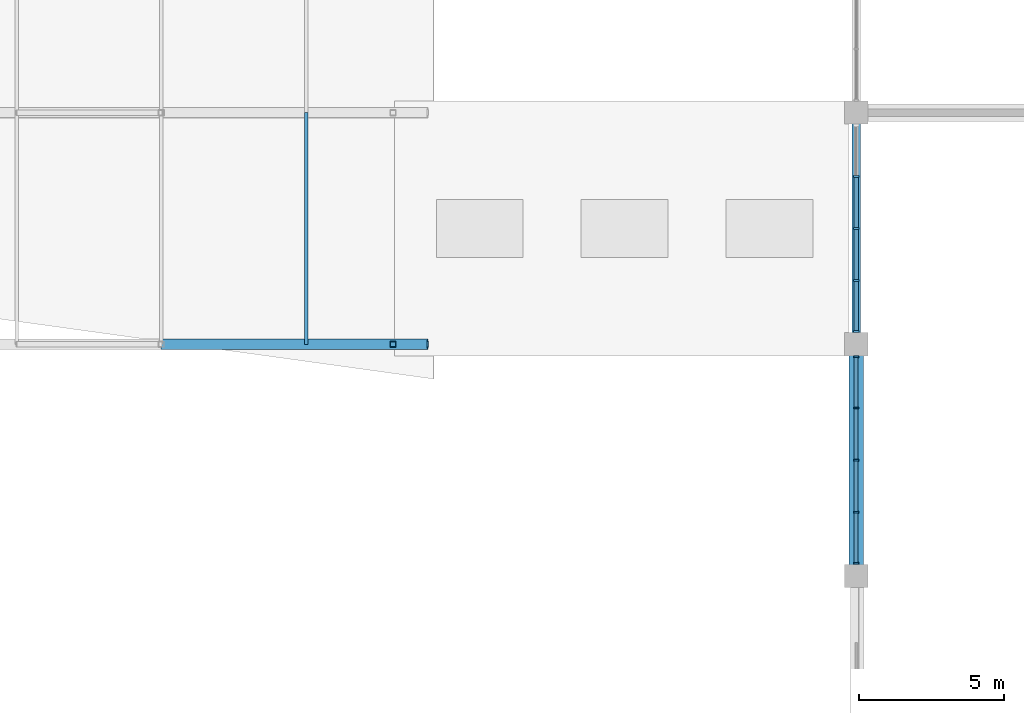
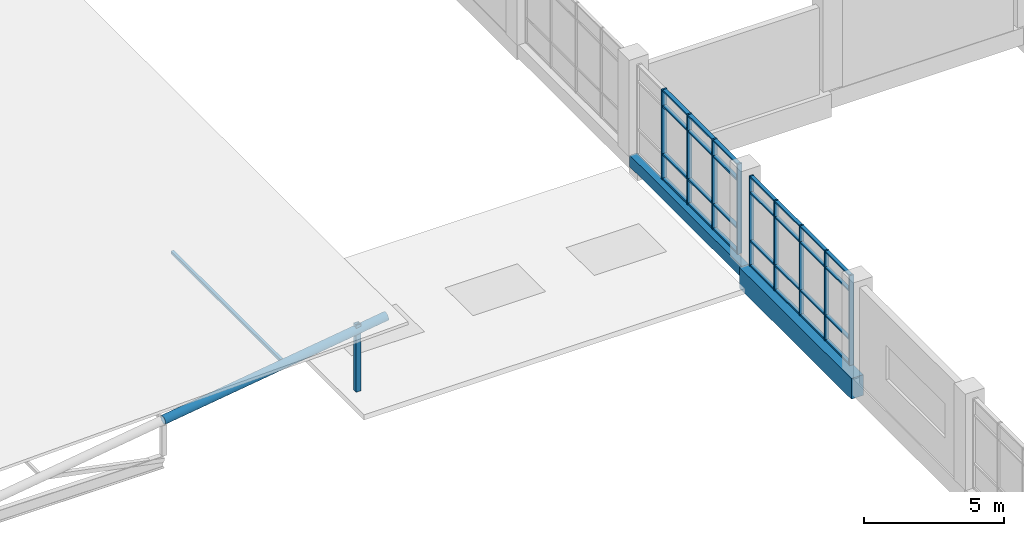
# One storey, part 17 of 84: 39 members, 3 beams, 2 elements without a shape of their own.
"""IFC4 building model written with IfcOpenShell, lengths in metres."""

from ifc_helpers import new_model, si_unit, direction, frame, origin, origin_2d, place, context, subcontext, project, spatial, rectangle, hollow_rectangle, hollow_circle, extrude, material, material_profile, profile_set, type_object, element, aggregate, save


model = new_model("IFC4")

# Units and contexts
model_context = context("Model", 3, precision=1e-05, world=origin(), true_north=direction((0.0, 1.0)))
body_context = subcontext(model_context, "Body", "Model", "MODEL_VIEW")
ifc_project = project(units=[si_unit("LENGTHUNIT", "METRE"), si_unit("AREAUNIT", "SQUARE_METRE"), si_unit("VOLUMEUNIT", "CUBIC_METRE"), si_unit("PLANEANGLEUNIT", "RADIAN"), si_unit("MASSUNIT", "GRAM", prefix="KILO")], contexts=[model_context])

# Site, building, storey
site_placement = place(None, origin())
site = spatial("IfcSite", under=ifc_project, at=site_placement, CompositionType="ELEMENT")
building_placement = place(site_placement, origin())
building = spatial("IfcBuilding", under=site, at=building_placement, Name="Tenunan Teduh Sports Hall", CompositionType="ELEMENT")
storey_placement = place(building_placement, frame((0.0, 0.0, 10.800048828125)))
storey = spatial("IfcBuildingStorey", under=building, at=storey_placement, Name="L02", CompositionType="ELEMENT", Elevation=10.800048828125)

# Beams
ifc_material_1 = material(Name="Concrete C40/50", Category="concrete")
ifc_material_profile_1 = material_profile(ifc_material_1, rectangle(XDim=0.300048828125, YDim=0.5, at=origin_2d()), Name="RCB 300x500")
ifc_profile_set_1 = profile_set([ifc_material_profile_1], Name="Concrete C40/50")
beam_type_1 = type_object("IfcBeamType", Name="BM-RC-300x500", PredefinedType="BEAM", material=ifc_profile_set_1)
beam_1_placement = place(storey_placement, frame((122.0, 38.0, -0.510009765625), z_axis=(0.0, 1.0, 0.0), x_axis=(-1.0, 0.0, 0.0)))
element("IfcBeam", 1, at=beam_1_placement, inside=storey, type_object=beam_type_1, Name="BM-B-01-L02-1636", PredefinedType="BEAM", context=body_context, shape_type="SweptSolid", body=[
    extrude(rectangle(XDim=0.300048828125, YDim=0.5, at=origin_2d()), origin(), (0.0, 0.0, 1.0), 8.0),
])
ifc_material_2 = material(Name="Concrete C40/50", Category="concrete")
ifc_material_profile_2 = material_profile(ifc_material_2, rectangle(XDim=0.5, YDim=0.89990234375, at=origin_2d()), Name="RCB 500x900")
ifc_profile_set_2 = profile_set([ifc_material_profile_2], Name="Concrete C40/50")
beam_type_2 = type_object("IfcBeamType", Name="BM-RC-500x900", PredefinedType="BEAM", material=ifc_profile_set_2)
beam_2_placement = place(storey_placement, frame((122.0, 30.0, -0.7099609375), z_axis=(0.0, 1.0, 0.0), x_axis=(-1.0, 0.0, 0.0)))
element("IfcBeam", 2, at=beam_2_placement, inside=storey, type_object=beam_type_2, Name="BM-B-15-L02-1635", PredefinedType="BEAM", context=body_context, shape_type="SweptSolid", body=[
    extrude(rectangle(XDim=0.5, YDim=0.89990234375, at=origin_2d()), origin(), (0.0, 0.0, 1.0), 8.0),
])

# Curtain wall, members
ifc_material_3 = material(Name="Anodised aluminium", Category="aluminium")
curtain_wall_type = type_object("IfcCurtainWallType", Name="CW-UNIT-2", PredefinedType="NOTDEFINED", material=ifc_material_3)
curtain_wall_1_placement = place(storey_placement, origin())
curtain_wall_1 = element("IfcCurtainWall", 3, at=curtain_wall_1_placement, inside=storey, type_object=curtain_wall_type, Name="CW-CWM-175-L02-030", PredefinedType="NOTDEFINED")
ifc_material_4 = material(Name="Anodised aluminium", Category="aluminium")
ifc_material_profile_3 = material_profile(ifc_material_4, rectangle(XDim=0.06494140625, YDim=0.175048828125, at=origin_2d()), Name="CWM 65x175")
ifc_profile_set_3 = profile_set([ifc_material_profile_3], Name="Anodised aluminium")
member_type_1 = type_object("IfcMemberType", Name="CWM-175", PredefinedType="MULLION", material=ifc_profile_set_3)
member_1_placement = place(storey_placement, frame((122.0, 30.4326171875, 0.0), z_axis=(0.0, 0.0, 1.0), x_axis=(0.0, 1.0, 0.0)))
member_1 = element("IfcMember", 4, at=member_1_placement, type_object=member_type_1, Name="CW-02 mullion 1", PredefinedType="MULLION", context=body_context, shape_type="SweptSolid", body=[
    extrude(rectangle(XDim=0.06494140625, YDim=0.175048828125, at=origin_2d()), origin(), (0.0, 0.0, 1.0), 3.919921875),
])
member_2_placement = place(storey_placement, frame((122.0, 32.199951171875, 0.0), z_axis=(0.0, 0.0, 1.0), x_axis=(0.0, 1.0, 0.0)))
member_2 = element("IfcMember", 5, at=member_2_placement, type_object=member_type_1, Name="CW-02 mullion 2", PredefinedType="MULLION", context=body_context, shape_type="SweptSolid", body=[
    extrude(rectangle(XDim=0.06494140625, YDim=0.175048828125, at=origin_2d()), origin(), (0.0, 0.0, 1.0), 3.919921875),
])
member_3_placement = place(storey_placement, frame((122.0, 34.0, 0.0), z_axis=(0.0, 0.0, 1.0), x_axis=(0.0, 1.0, 0.0)))
member_3 = element("IfcMember", 6, at=member_3_placement, type_object=member_type_1, Name="CW-02 mullion 3", PredefinedType="MULLION", context=body_context, shape_type="SweptSolid", body=[
    extrude(rectangle(XDim=0.06494140625, YDim=0.175048828125, at=origin_2d()), origin(), (0.0, 0.0, 1.0), 3.919921875),
])
member_4_placement = place(storey_placement, frame((122.0, 35.800048828125, 0.0), z_axis=(0.0, 0.0, 1.0), x_axis=(0.0, 1.0, 0.0)))
member_4 = element("IfcMember", 7, at=member_4_placement, type_object=member_type_1, Name="CW-02 mullion 4", PredefinedType="MULLION", context=body_context, shape_type="SweptSolid", body=[
    extrude(rectangle(XDim=0.06494140625, YDim=0.175048828125, at=origin_2d()), origin(), (0.0, 0.0, 1.0), 3.919921875),
])
member_5_placement = place(storey_placement, frame((122.0, 37.5673828125, 0.0), z_axis=(0.0, 0.0, 1.0), x_axis=(0.0, 1.0, 0.0)))
member_5 = element("IfcMember", 8, at=member_5_placement, type_object=member_type_1, Name="CW-02 mullion 5", PredefinedType="MULLION", context=body_context, shape_type="SweptSolid", body=[
    extrude(rectangle(XDim=0.06494140625, YDim=0.175048828125, at=origin_2d()), origin(), (0.0, 0.0, 1.0), 3.919921875),
])

curtain_wall_2_placement = place(storey_placement, origin())
curtain_wall_2 = element("IfcCurtainWall", 9, at=curtain_wall_2_placement, inside=storey, type_object=curtain_wall_type, Name="CW-CWM-200-L02-032", PredefinedType="NOTDEFINED")
ifc_material_5 = material(Name="Anodised aluminium", Category="aluminium")
ifc_material_profile_4 = material_profile(ifc_material_5, rectangle(XDim=0.070068359375, YDim=0.199951171875, at=origin_2d()), Name="CWM 70x200")
ifc_profile_set_4 = profile_set([ifc_material_profile_4], Name="Anodised aluminium")
member_type_2 = type_object("IfcMemberType", Name="CWM-200", PredefinedType="MULLION", material=ifc_profile_set_4)
member_6_placement = place(storey_placement, frame((122.0, 38.43505859375, 0.0), z_axis=(0.0, 0.0, 1.0), x_axis=(0.0, 1.0, 0.0)))
member_6 = element("IfcMember", 10, at=member_6_placement, type_object=member_type_2, Name="CW-02 mullion 1", PredefinedType="MULLION", context=body_context, shape_type="SweptSolid", body=[
    extrude(rectangle(XDim=0.070068359375, YDim=0.199951171875, at=origin_2d()), origin(), (0.0, 0.0, 1.0), 3.919921875),
])
member_7_placement = place(storey_placement, frame((122.0, 40.199951171875, 0.0), z_axis=(0.0, 0.0, 1.0), x_axis=(0.0, 1.0, 0.0)))
member_7 = element("IfcMember", 11, at=member_7_placement, type_object=member_type_2, Name="CW-02 mullion 2", PredefinedType="MULLION", context=body_context, shape_type="SweptSolid", body=[
    extrude(rectangle(XDim=0.070068359375, YDim=0.199951171875, at=origin_2d()), origin(), (0.0, 0.0, 1.0), 3.919921875),
])
member_8_placement = place(storey_placement, frame((122.0, 42.0, 0.0), z_axis=(0.0, 0.0, 1.0), x_axis=(0.0, 1.0, 0.0)))
member_8 = element("IfcMember", 12, at=member_8_placement, type_object=member_type_2, Name="CW-02 mullion 3", PredefinedType="MULLION", context=body_context, shape_type="SweptSolid", body=[
    extrude(rectangle(XDim=0.070068359375, YDim=0.199951171875, at=origin_2d()), origin(), (0.0, 0.0, 1.0), 3.919921875),
])
member_9_placement = place(storey_placement, frame((122.0, 43.800048828125, 0.0), z_axis=(0.0, 0.0, 1.0), x_axis=(0.0, 1.0, 0.0)))
member_9 = element("IfcMember", 13, at=member_9_placement, type_object=member_type_2, Name="CW-02 mullion 4", PredefinedType="MULLION", context=body_context, shape_type="SweptSolid", body=[
    extrude(rectangle(XDim=0.070068359375, YDim=0.199951171875, at=origin_2d()), origin(), (0.0, 0.0, 1.0), 3.919921875),
])

# Member
ifc_material_6 = material(Name="Anodised aluminium", Category="aluminium")
ifc_material_profile_5 = material_profile(ifc_material_6, rectangle(XDim=0.06494140625, YDim=0.139892578125, at=origin_2d()), Name="CWT 65x140")
ifc_profile_set_5 = profile_set([ifc_material_profile_5], Name="Anodised aluminium")
member_type_3 = type_object("IfcMemberType", Name="CWT-150", PredefinedType="USERDEFINED", material=ifc_profile_set_5)
member_10_placement = place(storey_placement, frame((122.0, 30.465087890625, 0.032470703125), z_axis=(0.0, 1.0, 0.0), x_axis=(0.0, 0.0, 1.0)))
member_10 = element("IfcMember", 14, at=member_10_placement, type_object=member_type_3, Name="CW-02 transom 1.1", ObjectType="TRANSOM", PredefinedType="USERDEFINED", context=body_context, shape_type="SweptSolid", body=[
    extrude(rectangle(XDim=0.06494140625, YDim=0.139892578125, at=origin_2d()), origin(), (0.0, 0.0, 1.0), 1.702392578125),
])

member_11_placement = place(storey_placement, frame((122.0, 30.465087890625, 1.099853515625), z_axis=(0.0, 1.0, 0.0), x_axis=(0.0, 0.0, 1.0)))
member_11 = element("IfcMember", 15, at=member_11_placement, type_object=member_type_3, Name="CW-02 transom 1.2", ObjectType="TRANSOM", PredefinedType="USERDEFINED", context=body_context, shape_type="SweptSolid", body=[
    extrude(rectangle(XDim=0.06494140625, YDim=0.139892578125, at=origin_2d()), origin(), (0.0, 0.0, 1.0), 1.702392578125),
])

member_12_placement = place(storey_placement, frame((122.0, 30.465087890625, 3.199951171875), z_axis=(0.0, 1.0, 0.0), x_axis=(0.0, 0.0, 1.0)))
member_12 = element("IfcMember", 16, at=member_12_placement, type_object=member_type_3, Name="CW-02 transom 1.3", ObjectType="TRANSOM", PredefinedType="USERDEFINED", context=body_context, shape_type="SweptSolid", body=[
    extrude(rectangle(XDim=0.06494140625, YDim=0.139892578125, at=origin_2d()), origin(), (0.0, 0.0, 1.0), 1.702392578125),
])

member_13_placement = place(storey_placement, frame((122.0, 30.465087890625, 3.887451171875), z_axis=(0.0, 1.0, 0.0), x_axis=(0.0, 0.0, 1.0)))
member_13 = element("IfcMember", 17, at=member_13_placement, type_object=member_type_3, Name="CW-02 transom 1.4", ObjectType="TRANSOM", PredefinedType="USERDEFINED", context=body_context, shape_type="SweptSolid", body=[
    extrude(rectangle(XDim=0.06494140625, YDim=0.139892578125, at=origin_2d()), origin(), (0.0, 0.0, 1.0), 1.702392578125),
])

member_14_placement = place(storey_placement, frame((122.0, 32.232421875, 0.032470703125), z_axis=(0.0, 1.0, 0.0), x_axis=(0.0, 0.0, 1.0)))
member_14 = element("IfcMember", 18, at=member_14_placement, type_object=member_type_3, Name="CW-02 transom 2.1", ObjectType="TRANSOM", PredefinedType="USERDEFINED", context=body_context, shape_type="SweptSolid", body=[
    extrude(rectangle(XDim=0.06494140625, YDim=0.139892578125, at=origin_2d()), origin(), (0.0, 0.0, 1.0), 1.735107421875),
])

member_15_placement = place(storey_placement, frame((122.0, 32.232421875, 1.099853515625), z_axis=(0.0, 1.0, 0.0), x_axis=(0.0, 0.0, 1.0)))
member_15 = element("IfcMember", 19, at=member_15_placement, type_object=member_type_3, Name="CW-02 transom 2.2", ObjectType="TRANSOM", PredefinedType="USERDEFINED", context=body_context, shape_type="SweptSolid", body=[
    extrude(rectangle(XDim=0.06494140625, YDim=0.139892578125, at=origin_2d()), origin(), (0.0, 0.0, 1.0), 1.735107421875),
])

member_16_placement = place(storey_placement, frame((122.0, 32.232421875, 3.199951171875), z_axis=(0.0, 1.0, 0.0), x_axis=(0.0, 0.0, 1.0)))
member_16 = element("IfcMember", 20, at=member_16_placement, type_object=member_type_3, Name="CW-02 transom 2.3", ObjectType="TRANSOM", PredefinedType="USERDEFINED", context=body_context, shape_type="SweptSolid", body=[
    extrude(rectangle(XDim=0.06494140625, YDim=0.139892578125, at=origin_2d()), origin(), (0.0, 0.0, 1.0), 1.735107421875),
])

member_17_placement = place(storey_placement, frame((122.0, 32.232421875, 3.887451171875), z_axis=(0.0, 1.0, 0.0), x_axis=(0.0, 0.0, 1.0)))
member_17 = element("IfcMember", 21, at=member_17_placement, type_object=member_type_3, Name="CW-02 transom 2.4", ObjectType="TRANSOM", PredefinedType="USERDEFINED", context=body_context, shape_type="SweptSolid", body=[
    extrude(rectangle(XDim=0.06494140625, YDim=0.139892578125, at=origin_2d()), origin(), (0.0, 0.0, 1.0), 1.735107421875),
])

member_18_placement = place(storey_placement, frame((122.0, 34.032470703125, 0.032470703125), z_axis=(0.0, 1.0, 0.0), x_axis=(0.0, 0.0, 1.0)))
member_18 = element("IfcMember", 22, at=member_18_placement, type_object=member_type_3, Name="CW-02 transom 3.1", ObjectType="TRANSOM", PredefinedType="USERDEFINED", context=body_context, shape_type="SweptSolid", body=[
    extrude(rectangle(XDim=0.06494140625, YDim=0.139892578125, at=origin_2d()), origin(), (0.0, 0.0, 1.0), 1.735107421875),
])

member_19_placement = place(storey_placement, frame((122.0, 34.032470703125, 1.099853515625), z_axis=(0.0, 1.0, 0.0), x_axis=(0.0, 0.0, 1.0)))
member_19 = element("IfcMember", 23, at=member_19_placement, type_object=member_type_3, Name="CW-02 transom 3.2", ObjectType="TRANSOM", PredefinedType="USERDEFINED", context=body_context, shape_type="SweptSolid", body=[
    extrude(rectangle(XDim=0.06494140625, YDim=0.139892578125, at=origin_2d()), origin(), (0.0, 0.0, 1.0), 1.735107421875),
])

member_20_placement = place(storey_placement, frame((122.0, 34.032470703125, 3.199951171875), z_axis=(0.0, 1.0, 0.0), x_axis=(0.0, 0.0, 1.0)))
member_20 = element("IfcMember", 24, at=member_20_placement, type_object=member_type_3, Name="CW-02 transom 3.3", ObjectType="TRANSOM", PredefinedType="USERDEFINED", context=body_context, shape_type="SweptSolid", body=[
    extrude(rectangle(XDim=0.06494140625, YDim=0.139892578125, at=origin_2d()), origin(), (0.0, 0.0, 1.0), 1.735107421875),
])

member_21_placement = place(storey_placement, frame((122.0, 34.032470703125, 3.887451171875), z_axis=(0.0, 1.0, 0.0), x_axis=(0.0, 0.0, 1.0)))
member_21 = element("IfcMember", 25, at=member_21_placement, type_object=member_type_3, Name="CW-02 transom 3.4", ObjectType="TRANSOM", PredefinedType="USERDEFINED", context=body_context, shape_type="SweptSolid", body=[
    extrude(rectangle(XDim=0.06494140625, YDim=0.139892578125, at=origin_2d()), origin(), (0.0, 0.0, 1.0), 1.735107421875),
])

member_22_placement = place(storey_placement, frame((122.0, 35.83251953125, 0.032470703125), z_axis=(0.0, 1.0, 0.0), x_axis=(0.0, 0.0, 1.0)))
member_22 = element("IfcMember", 26, at=member_22_placement, type_object=member_type_3, Name="CW-02 transom 4.1", ObjectType="TRANSOM", PredefinedType="USERDEFINED", context=body_context, shape_type="SweptSolid", body=[
    extrude(rectangle(XDim=0.06494140625, YDim=0.139892578125, at=origin_2d()), origin(), (0.0, 0.0, 1.0), 1.702392578125),
])

member_23_placement = place(storey_placement, frame((122.0, 35.83251953125, 1.099853515625), z_axis=(0.0, 1.0, 0.0), x_axis=(0.0, 0.0, 1.0)))
member_23 = element("IfcMember", 27, at=member_23_placement, type_object=member_type_3, Name="CW-02 transom 4.2", ObjectType="TRANSOM", PredefinedType="USERDEFINED", context=body_context, shape_type="SweptSolid", body=[
    extrude(rectangle(XDim=0.06494140625, YDim=0.139892578125, at=origin_2d()), origin(), (0.0, 0.0, 1.0), 1.702392578125),
])

member_24_placement = place(storey_placement, frame((122.0, 35.83251953125, 3.199951171875), z_axis=(0.0, 1.0, 0.0), x_axis=(0.0, 0.0, 1.0)))
member_24 = element("IfcMember", 28, at=member_24_placement, type_object=member_type_3, Name="CW-02 transom 4.3", ObjectType="TRANSOM", PredefinedType="USERDEFINED", context=body_context, shape_type="SweptSolid", body=[
    extrude(rectangle(XDim=0.06494140625, YDim=0.139892578125, at=origin_2d()), origin(), (0.0, 0.0, 1.0), 1.702392578125),
])

member_25_placement = place(storey_placement, frame((122.0, 35.83251953125, 3.887451171875), z_axis=(0.0, 1.0, 0.0), x_axis=(0.0, 0.0, 1.0)))
member_25 = element("IfcMember", 29, at=member_25_placement, type_object=member_type_3, Name="CW-02 transom 4.4", ObjectType="TRANSOM", PredefinedType="USERDEFINED", context=body_context, shape_type="SweptSolid", body=[
    extrude(rectangle(XDim=0.06494140625, YDim=0.139892578125, at=origin_2d()), origin(), (0.0, 0.0, 1.0), 1.702392578125),
])

aggregate(curtain_wall_1, [member_1, member_2, member_3, member_4, member_5, member_10, member_11, member_12, member_13, member_14, member_15, member_16, member_17, member_18, member_19, member_20, member_21, member_22, member_23, member_24, member_25])

ifc_material_7 = material(Name="Anodised aluminium", Category="aluminium")
ifc_material_profile_6 = material_profile(ifc_material_7, rectangle(XDim=0.070068359375, YDim=0.159912109375, at=origin_2d()), Name="CWT 70x160")
ifc_profile_set_6 = profile_set([ifc_material_profile_6], Name="Anodised aluminium")
member_type_4 = type_object("IfcMemberType", Name="CWT-200", PredefinedType="USERDEFINED", material=ifc_profile_set_6)
member_26_placement = place(storey_placement, frame((122.0, 38.469970703125, 0.034912109375), z_axis=(0.0, 1.0, 0.0), x_axis=(0.0, 0.0, 1.0)))
member_26 = element("IfcMember", 30, at=member_26_placement, type_object=member_type_4, Name="CW-02 transom 1.1", ObjectType="TRANSOM", PredefinedType="USERDEFINED", context=body_context, shape_type="SweptSolid", body=[
    extrude(rectangle(XDim=0.070068359375, YDim=0.159912109375, at=origin_2d()), origin(), (0.0, 0.0, 1.0), 1.695068359375),
])

member_27_placement = place(storey_placement, frame((122.0, 38.469970703125, 1.099853515625), z_axis=(0.0, 1.0, 0.0), x_axis=(0.0, 0.0, 1.0)))
member_27 = element("IfcMember", 31, at=member_27_placement, type_object=member_type_4, Name="CW-02 transom 1.2", ObjectType="TRANSOM", PredefinedType="USERDEFINED", context=body_context, shape_type="SweptSolid", body=[
    extrude(rectangle(XDim=0.070068359375, YDim=0.159912109375, at=origin_2d()), origin(), (0.0, 0.0, 1.0), 1.695068359375),
])

member_28_placement = place(storey_placement, frame((122.0, 38.469970703125, 3.199951171875), z_axis=(0.0, 1.0, 0.0), x_axis=(0.0, 0.0, 1.0)))
member_28 = element("IfcMember", 32, at=member_28_placement, type_object=member_type_4, Name="CW-02 transom 1.3", ObjectType="TRANSOM", PredefinedType="USERDEFINED", context=body_context, shape_type="SweptSolid", body=[
    extrude(rectangle(XDim=0.070068359375, YDim=0.159912109375, at=origin_2d()), origin(), (0.0, 0.0, 1.0), 1.695068359375),
])

member_29_placement = place(storey_placement, frame((122.0, 38.469970703125, 3.885009765625), z_axis=(0.0, 1.0, 0.0), x_axis=(0.0, 0.0, 1.0)))
member_29 = element("IfcMember", 33, at=member_29_placement, type_object=member_type_4, Name="CW-02 transom 1.4", ObjectType="TRANSOM", PredefinedType="USERDEFINED", context=body_context, shape_type="SweptSolid", body=[
    extrude(rectangle(XDim=0.070068359375, YDim=0.159912109375, at=origin_2d()), origin(), (0.0, 0.0, 1.0), 1.695068359375),
])

member_30_placement = place(storey_placement, frame((122.0, 40.235107421875, 0.034912109375), z_axis=(0.0, 1.0, 0.0), x_axis=(0.0, 0.0, 1.0)))
member_30 = element("IfcMember", 34, at=member_30_placement, type_object=member_type_4, Name="CW-02 transom 2.1", ObjectType="TRANSOM", PredefinedType="USERDEFINED", context=body_context, shape_type="SweptSolid", body=[
    extrude(rectangle(XDim=0.070068359375, YDim=0.159912109375, at=origin_2d()), origin(), (0.0, 0.0, 1.0), 1.72998046875),
])

member_31_placement = place(storey_placement, frame((122.0, 40.235107421875, 1.099853515625), z_axis=(0.0, 1.0, 0.0), x_axis=(0.0, 0.0, 1.0)))
member_31 = element("IfcMember", 35, at=member_31_placement, type_object=member_type_4, Name="CW-02 transom 2.2", ObjectType="TRANSOM", PredefinedType="USERDEFINED", context=body_context, shape_type="SweptSolid", body=[
    extrude(rectangle(XDim=0.070068359375, YDim=0.159912109375, at=origin_2d()), origin(), (0.0, 0.0, 1.0), 1.72998046875),
])

member_32_placement = place(storey_placement, frame((122.0, 40.235107421875, 3.199951171875), z_axis=(0.0, 1.0, 0.0), x_axis=(0.0, 0.0, 1.0)))
member_32 = element("IfcMember", 36, at=member_32_placement, type_object=member_type_4, Name="CW-02 transom 2.3", ObjectType="TRANSOM", PredefinedType="USERDEFINED", context=body_context, shape_type="SweptSolid", body=[
    extrude(rectangle(XDim=0.070068359375, YDim=0.159912109375, at=origin_2d()), origin(), (0.0, 0.0, 1.0), 1.72998046875),
])

member_33_placement = place(storey_placement, frame((122.0, 40.235107421875, 3.885009765625), z_axis=(0.0, 1.0, 0.0), x_axis=(0.0, 0.0, 1.0)))
member_33 = element("IfcMember", 37, at=member_33_placement, type_object=member_type_4, Name="CW-02 transom 2.4", ObjectType="TRANSOM", PredefinedType="USERDEFINED", context=body_context, shape_type="SweptSolid", body=[
    extrude(rectangle(XDim=0.070068359375, YDim=0.159912109375, at=origin_2d()), origin(), (0.0, 0.0, 1.0), 1.72998046875),
])

member_34_placement = place(storey_placement, frame((122.0, 42.034912109375, 0.034912109375), z_axis=(0.0, 1.0, 0.0), x_axis=(0.0, 0.0, 1.0)))
member_34 = element("IfcMember", 38, at=member_34_placement, type_object=member_type_4, Name="CW-02 transom 3.1", ObjectType="TRANSOM", PredefinedType="USERDEFINED", context=body_context, shape_type="SweptSolid", body=[
    extrude(rectangle(XDim=0.070068359375, YDim=0.159912109375, at=origin_2d()), origin(), (0.0, 0.0, 1.0), 1.72998046875),
])

member_35_placement = place(storey_placement, frame((122.0, 42.034912109375, 1.099853515625), z_axis=(0.0, 1.0, 0.0), x_axis=(0.0, 0.0, 1.0)))
member_35 = element("IfcMember", 39, at=member_35_placement, type_object=member_type_4, Name="CW-02 transom 3.2", ObjectType="TRANSOM", PredefinedType="USERDEFINED", context=body_context, shape_type="SweptSolid", body=[
    extrude(rectangle(XDim=0.070068359375, YDim=0.159912109375, at=origin_2d()), origin(), (0.0, 0.0, 1.0), 1.72998046875),
])

member_36_placement = place(storey_placement, frame((122.0, 42.034912109375, 3.199951171875), z_axis=(0.0, 1.0, 0.0), x_axis=(0.0, 0.0, 1.0)))
member_36 = element("IfcMember", 40, at=member_36_placement, type_object=member_type_4, Name="CW-02 transom 3.3", ObjectType="TRANSOM", PredefinedType="USERDEFINED", context=body_context, shape_type="SweptSolid", body=[
    extrude(rectangle(XDim=0.070068359375, YDim=0.159912109375, at=origin_2d()), origin(), (0.0, 0.0, 1.0), 1.72998046875),
])

member_37_placement = place(storey_placement, frame((122.0, 42.034912109375, 3.885009765625), z_axis=(0.0, 1.0, 0.0), x_axis=(0.0, 0.0, 1.0)))
member_37 = element("IfcMember", 41, at=member_37_placement, type_object=member_type_4, Name="CW-02 transom 3.4", ObjectType="TRANSOM", PredefinedType="USERDEFINED", context=body_context, shape_type="SweptSolid", body=[
    extrude(rectangle(XDim=0.070068359375, YDim=0.159912109375, at=origin_2d()), origin(), (0.0, 0.0, 1.0), 1.72998046875),
])

aggregate(curtain_wall_2, [member_6, member_7, member_8, member_9, member_26, member_27, member_28, member_29, member_30, member_31, member_32, member_33, member_34, member_35, member_36, member_37])

# Beam
ifc_material_8 = material(Name="Steel S355", Category="steel")
ifc_material_profile_7 = material_profile(ifc_material_8, hollow_circle(Radius=0.177734375, WallThickness=0.012451171875, at=origin_2d()), Name="CHS 355.6x12.5")
ifc_profile_set_7 = profile_set([ifc_material_profile_7], Name="Steel S355")
beam_type_3 = type_object("IfcBeamType", Name="GSB-CHS356", PredefinedType="BEAM", material=ifc_profile_set_7)
beam_3_placement = place(storey_placement, frame((98.0, 38.0, 1.404296875), z_axis=(0.989928466814, 0.0, 0.14156846609), x_axis=(0.0, 1.0, 0.0)))
element("IfcBeam", 42, at=beam_3_placement, inside=storey, type_object=beam_type_3, Name="Gridshell Vault Arch BM-GR-04-L02-0497", PredefinedType="BEAM", context=body_context, shape_type="SweptSolid", body=[
    extrude(hollow_circle(Radius=0.177734375, WallThickness=0.012451171875, at=origin_2d()), origin(), (0.0, 0.0, 1.0), 9.29345703125),
])

# Members
ifc_material_9 = material(Name="Steel S355", Category="steel")
ifc_material_profile_8 = material_profile(ifc_material_9, hollow_rectangle(XDim=0.1201171875, YDim=0.1201171875, WallThickness=0.00634765625, at=origin_2d()), Name="SHS 120x120x6.3")
ifc_profile_set_8 = profile_set([ifc_material_profile_8], Name="Steel S355")
member_type_5 = type_object("IfcMemberType", Name="MEM-PR-SHS120", PredefinedType="PURLIN", material=ifc_profile_set_8)
member_38_placement = place(storey_placement, frame((103.0, 38.0, 2.126708984375), z_axis=(0.0, 1.0, 0.0), x_axis=(-1.0, 0.0, 0.0)))
element("IfcMember", 43, at=member_38_placement, inside=storey, type_object=member_type_5, Name="MEM-PR-02-L02-0926", PredefinedType="PURLIN", context=body_context, shape_type="SweptSolid", body=[
    extrude(hollow_rectangle(XDim=0.1201171875, YDim=0.1201171875, WallThickness=0.00634765625, at=origin_2d()), origin(), (0.0, 0.0, 1.0), 8.0),
])
ifc_material_10 = material(Name="Steel S355", Category="steel")
ifc_material_profile_9 = material_profile(ifc_material_10, hollow_rectangle(XDim=0.199951171875, YDim=0.199951171875, WallThickness=0.010009765625, at=origin_2d()), Name="SHS 200x200x10.0")
ifc_profile_set_9 = profile_set([ifc_material_profile_9], Name="Steel S355")
member_type_6 = type_object("IfcMemberType", Name="MEM-ST-SHS200", PredefinedType="STRUT", material=ifc_profile_set_9)
member_39_placement = place(storey_placement, frame((106.0, 38.0, -0.10009765625), z_axis=(0.0, 0.0, 1.0), x_axis=(1.0, 0.0, 0.0)))
element("IfcMember", 44, at=member_39_placement, inside=storey, type_object=member_type_6, Name="MEM-VS-02-L02-0858", PredefinedType="STRUT", context=body_context, shape_type="SweptSolid", body=[
    extrude(hollow_rectangle(XDim=0.199951171875, YDim=0.199951171875, WallThickness=0.010009765625, at=origin_2d()), origin(), (0.0, 0.0, 1.0), 2.91015625),
])

save(model, "model.ifc")
